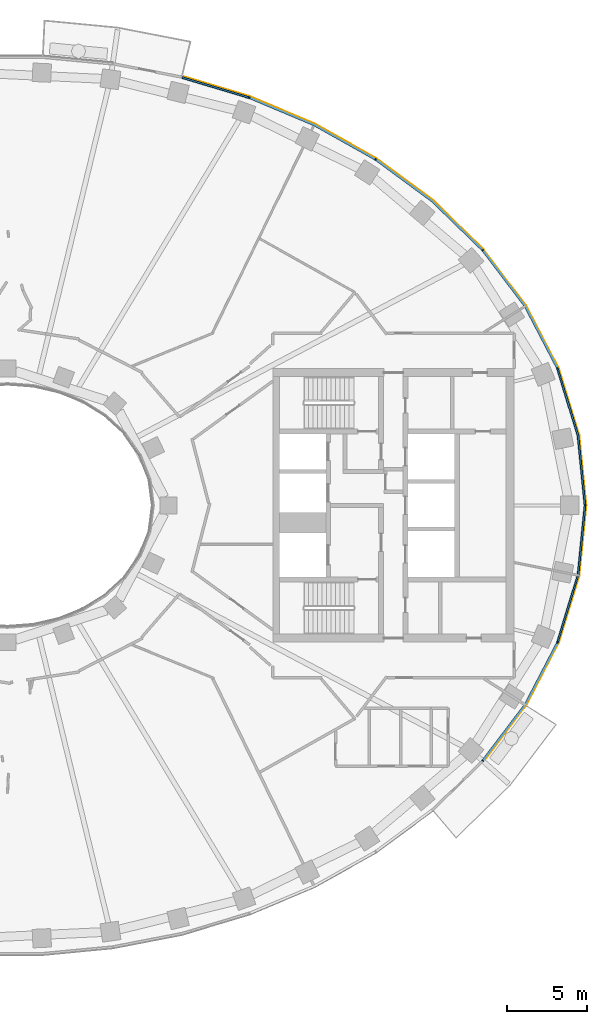
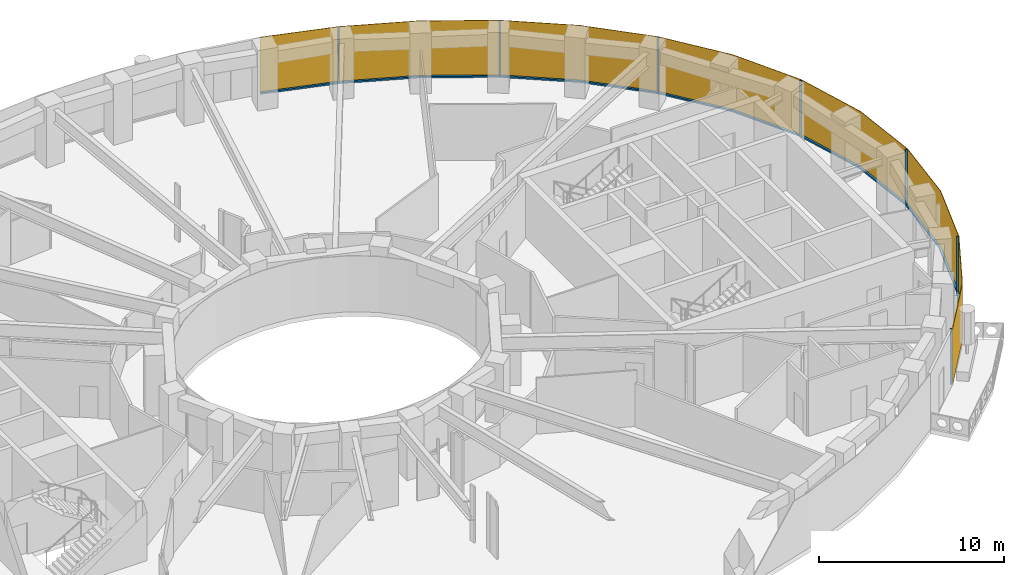
# One storey, part 14 of 17: 14 members, 1 curtain wall.
"""IFC4 building model written with IfcOpenShell, lengths in metres."""

from ifc_helpers import new_model, si_unit, direction, frame, origin, origin_2d, place, context, subcontext, project, spatial, polyline, rectangle, outline, extrude, material, layer, layer_set, material_profile, profile_set, type_object, element, aggregate, save


model = new_model("IFC4")

# Units and contexts
model_context = context("Model", 3, precision=1e-05, world=origin(), true_north=direction((0.0, 1.0)))
body_context = subcontext(model_context, "Body", "Model", "MODEL_VIEW")
ifc_project = project(units=[si_unit("LENGTHUNIT", "METRE"), si_unit("AREAUNIT", "SQUARE_METRE"), si_unit("VOLUMEUNIT", "CUBIC_METRE"), si_unit("PLANEANGLEUNIT", "RADIAN"), si_unit("MASSUNIT", "GRAM", prefix="KILO")], contexts=[model_context])

# Member
ifc_material_1 = material(Name="Aluminium 6063-T6 black anodised", Category="aluminium")
ifc_material_profile = material_profile(ifc_material_1, rectangle(XDim=0.1201171875, YDim=0.06005859375, at=origin_2d()), Name="120x60")
ifc_profile_set = profile_set([ifc_material_profile], Name="Aluminium 6063-T6 black anodised")
member_type_1 = type_object("IfcMemberType", Name="ENV-MULLION-A-120", PredefinedType="MULLION", material=ifc_profile_set)
site_placement = place(None, origin())
building_placement = place(site_placement, origin())
storey_placement = place(building_placement, frame((0.0, 0.0, 190.0)))
member_1_placement = place(storey_placement, frame((29.53857421875, -15.8671875, 0.0), z_axis=(0.0, 0.0, 1.0), x_axis=(-0.749047221705, 0.662516610853, 0.0)))
member_1 = element("IfcMember", 1, at=member_1_placement, type_object=member_type_1, Name="Mullion A radial 43", PredefinedType="MULLION", context=body_context, shape_type="SweptSolid", body=[
    extrude(rectangle(XDim=0.1201171875, YDim=0.06005859375, at=origin_2d()), origin(), (0.0, 0.0, 1.0), 3.699951171875),
])

member_2_placement = place(storey_placement, frame((34.19580078125, -8.513916015625, 0.0), z_axis=(0.0, 0.0, 1.0), x_axis=(-0.92546738067, 0.378827305398, 0.0)))
member_2 = element("IfcMember", 2, at=member_2_placement, type_object=member_type_1, Name="Mullion A radial 45", PredefinedType="MULLION", context=body_context, shape_type="SweptSolid", body=[
    extrude(rectangle(XDim=0.1201171875, YDim=0.06005859375, at=origin_2d()), origin(), (0.0, 0.0, 1.0), 3.699951171875),
])

member_3_placement = place(storey_placement, frame((35.907958984375, 0.0, 0.0), z_axis=(0.0, 0.0, 1.0), x_axis=(-1.0, 0.0, 0.0)))
member_3 = element("IfcMember", 3, at=member_3_placement, type_object=member_type_1, Name="Mullion A radial 01", PredefinedType="MULLION", context=body_context, shape_type="SweptSolid", body=[
    extrude(rectangle(XDim=0.1201171875, YDim=0.06005859375, at=origin_2d()), origin(), (0.0, 0.0, 1.0), 3.699951171875),
])

member_4_placement = place(storey_placement, frame((34.19580078125, 8.513916015625, 0.0), z_axis=(0.0, 0.0, 1.0), x_axis=(-0.92546738067, -0.378827305398, 0.0)))
member_4 = element("IfcMember", 4, at=member_4_placement, type_object=member_type_1, Name="Mullion A radial 03", PredefinedType="MULLION", context=body_context, shape_type="SweptSolid", body=[
    extrude(rectangle(XDim=0.1201171875, YDim=0.06005859375, at=origin_2d()), origin(), (0.0, 0.0, 1.0), 3.699951171875),
])

member_5_placement = place(storey_placement, frame((29.53857421875, 15.8671875, 0.0), z_axis=(0.0, 0.0, 1.0), x_axis=(-0.749047221705, -0.662516610853, 0.0)))
member_5 = element("IfcMember", 5, at=member_5_placement, type_object=member_type_1, Name="Mullion A radial 05", PredefinedType="MULLION", context=body_context, shape_type="SweptSolid", body=[
    extrude(rectangle(XDim=0.1201171875, YDim=0.06005859375, at=origin_2d()), origin(), (0.0, 0.0, 1.0), 3.699951171875),
])

member_6_placement = place(storey_placement, frame((22.882568359375, 21.506591796875, 0.0), z_axis=(0.0, 0.0, 1.0), x_axis=(-0.542279153225, -0.840198381323, 0.0)))
member_6 = element("IfcMember", 6, at=member_6_placement, type_object=member_type_1, Name="Mullion A radial 07", PredefinedType="MULLION", context=body_context, shape_type="SweptSolid", body=[
    extrude(rectangle(XDim=0.1201171875, YDim=0.06005859375, at=origin_2d()), origin(), (0.0, 0.0, 1.0), 3.699951171875),
])

member_7_placement = place(storey_placement, frame((15.0341796875, 25.34375, 0.0), z_axis=(0.0, 0.0, 1.0), x_axis=(-0.338379256581, -0.941009818608, 0.0)))
member_7 = element("IfcMember", 7, at=member_7_placement, type_object=member_type_1, Name="Mullion A radial 09", PredefinedType="MULLION", context=body_context, shape_type="SweptSolid", body=[
    extrude(rectangle(XDim=0.1201171875, YDim=0.06005859375, at=origin_2d()), origin(), (0.0, 0.0, 1.0), 3.699951171875),
])

ifc_material_2 = material(Name="Aluminium 6063-T6 black anodised", Category="aluminium")
member_type_2 = type_object("IfcMemberType", Name="ENV-TRANSOM-A", PredefinedType="USERDEFINED", material=ifc_material_2)
member_8_placement = place(storey_placement, origin())
member_8 = element("IfcMember", 8, at=member_8_placement, type_object=member_type_2, Name="Transom A radial 43-45", ObjectType="TRANSOM", PredefinedType="USERDEFINED", context=body_context, shape_type="SweptSolid", body=[
    extrude(outline(polyline([(29.6005859375, -15.884521484375), (32.22802734375, -12.41748046875), (34.23828125, -8.5615234375), (34.126708984375, -8.515869140625), (32.126220703125, -12.35302734375), (29.51025390625, -15.8046875), (29.6005859375, -15.884521484375)])), origin(), (0.0, 0.0, 1.0), 0.10009765625),
])

member_9_placement = place(storey_placement, origin())
member_9 = element("IfcMember", 9, at=member_9_placement, type_object=member_type_2, Name="Transom A radial 45-01", ObjectType="TRANSOM", PredefinedType="USERDEFINED", context=body_context, shape_type="SweptSolid", body=[
    extrude(outline(polyline([(34.259521484375, -8.509765625), (35.529541015625, -4.352294921875), (35.965087890625, -0.02783203125), (35.844482421875, -0.02783203125), (35.411376953125, -4.32861328125), (34.14794921875, -8.464111328125), (34.259521484375, -8.509765625)])), origin(), (0.0, 0.0, 1.0), 0.10009765625),
])

member_10_placement = place(storey_placement, origin())
member_10 = element("IfcMember", 10, at=member_10_placement, type_object=member_type_2, Name="Transom A radial 01-03", ObjectType="TRANSOM", PredefinedType="USERDEFINED", context=body_context, shape_type="SweptSolid", body=[
    extrude(outline(polyline([(35.965087890625, 0.02783203125), (35.529541015625, 4.352294921875), (34.259521484375, 8.509765625), (34.14794921875, 8.464111328125), (35.411376953125, 4.32861328125), (35.844482421875, 0.02783203125), (35.965087890625, 0.02783203125)])), origin(), (0.0, 0.0, 1.0), 0.10009765625),
])

member_11_placement = place(storey_placement, origin())
member_11 = element("IfcMember", 11, at=member_11_placement, type_object=member_type_2, Name="Transom A radial 03-05", ObjectType="TRANSOM", PredefinedType="USERDEFINED", context=body_context, shape_type="SweptSolid", body=[
    extrude(outline(polyline([(34.23828125, 8.5615234375), (32.22802734375, 12.41748046875), (29.6005859375, 15.884521484375), (29.51025390625, 15.8046875), (32.126220703125, 12.35302734375), (34.126708984375, 8.515869140625), (34.23828125, 8.5615234375)])), origin(), (0.0, 0.0, 1.0), 0.10009765625),
])

member_12_placement = place(storey_placement, origin())
member_12 = element("IfcMember", 12, at=member_12_placement, type_object=member_type_2, Name="Transom A radial 05-07", ObjectType="TRANSOM", PredefinedType="USERDEFINED", context=body_context, shape_type="SweptSolid", body=[
    extrude(outline(polyline([(29.5634765625, 15.926513671875), (26.4423828125, 18.958740234375), (22.937744140625, 21.540283203125), (22.87255859375, 21.439208984375), (26.364501953125, 18.866943359375), (29.473388671875, 15.8466796875), (29.5634765625, 15.926513671875)])), origin(), (0.0, 0.0, 1.0), 0.10009765625),
])

member_13_placement = place(storey_placement, origin())
member_13 = element("IfcMember", 13, at=member_13_placement, type_object=member_type_2, Name="Transom A radial 07-09", ObjectType="TRANSOM", PredefinedType="USERDEFINED", context=body_context, shape_type="SweptSolid", body=[
    extrude(outline(polyline([(22.890625, 21.570556640625), (19.093994140625, 23.701416015625), (15.080322265625, 25.389404296875), (15.03955078125, 25.276123046875), (19.041259765625, 23.593505859375), (22.825439453125, 21.469482421875), (22.890625, 21.570556640625)])), origin(), (0.0, 0.0, 1.0), 0.10009765625),
])

member_14_placement = place(storey_placement, origin())
member_14 = element("IfcMember", 14, at=member_14_placement, type_object=member_type_2, Name="Transom A radial 09-10", ObjectType="TRANSOM", PredefinedType="USERDEFINED", context=body_context, shape_type="SweptSolid", body=[
    extrude(outline(polyline([(15.027587890625, 25.408203125), (10.876708984375, 26.657470703125), (10.847900390625, 26.540771484375), (14.987060546875, 25.295166015625), (15.027587890625, 25.408203125)])), origin(), (0.0, 0.0, 1.0), 0.10009765625),
])

# Site, building, storey
site = spatial("IfcSite", under=ifc_project, at=site_placement, CompositionType="ELEMENT")
building = spatial("IfcBuilding", under=site, at=building_placement, Name="Noorbagh Ring Tower", CompositionType="ELEMENT")
storey = spatial("IfcBuildingStorey", under=building, at=storey_placement, Name="L44", CompositionType="ELEMENT", Elevation=190.0)

# Curtain wall
ifc_material_3 = material(Name="Glass dark tinted laminated", Category="glass")
ifc_layer = layer(ifc_material_3, 0.031982421875)
ifc_layer_set = layer_set([ifc_layer], Name="Glass dark tinted laminated")
curtain_wall_type = type_object("IfcCurtainWallType", Name="ENV-CW-A", PredefinedType="NOTDEFINED", material=ifc_layer_set)
curtain_wall_placement = place(storey_placement, origin())
curtain_wall = element("IfcCurtainWall", 15, at=curtain_wall_placement, inside=storey, type_object=curtain_wall_type, Name="Curtain wall A R43", PredefinedType="NOTDEFINED", context=body_context, shape_type="SweptSolid", body=[
    extrude(outline(polyline([(29.61962890625, -15.912109375), (32.255126953125, -12.434814453125), (34.281005859375, -8.548828125), (35.561279296875, -4.358642578125), (36.0, 0.0), (35.561279296875, 4.358642578125), (34.281005859375, 8.548828125), (32.255126953125, 12.434814453125), (29.607666015625, 15.927978515625), (26.463134765625, 18.9833984375), (22.9326171875, 21.583740234375), (19.108154296875, 23.730224609375), (15.065185546875, 25.430419921875), (10.884521484375, 26.6884765625), (10.876708984375, 26.657470703125), (15.054443359375, 25.400146484375), (19.093994140625, 23.701416015625), (22.9150390625, 21.556884765625), (26.4423828125, 18.958740234375), (29.58349609375, 15.906982421875), (32.22802734375, 12.41748046875), (34.251220703125, 8.53662109375), (35.529541015625, 4.352294921875), (35.9677734375, 0.0), (35.529541015625, -4.352294921875), (34.251220703125, -8.53662109375), (32.22802734375, -12.41748046875), (29.595703125, -15.890869140625), (29.61962890625, -15.912109375)])), origin(), (0.0, 0.0, 1.0), 3.699951171875),
])

aggregate(curtain_wall, [member_1, member_2, member_3, member_4, member_5, member_6, member_7, member_8, member_9, member_10, member_11, member_12, member_13, member_14])

save(model, "model.ifc")
